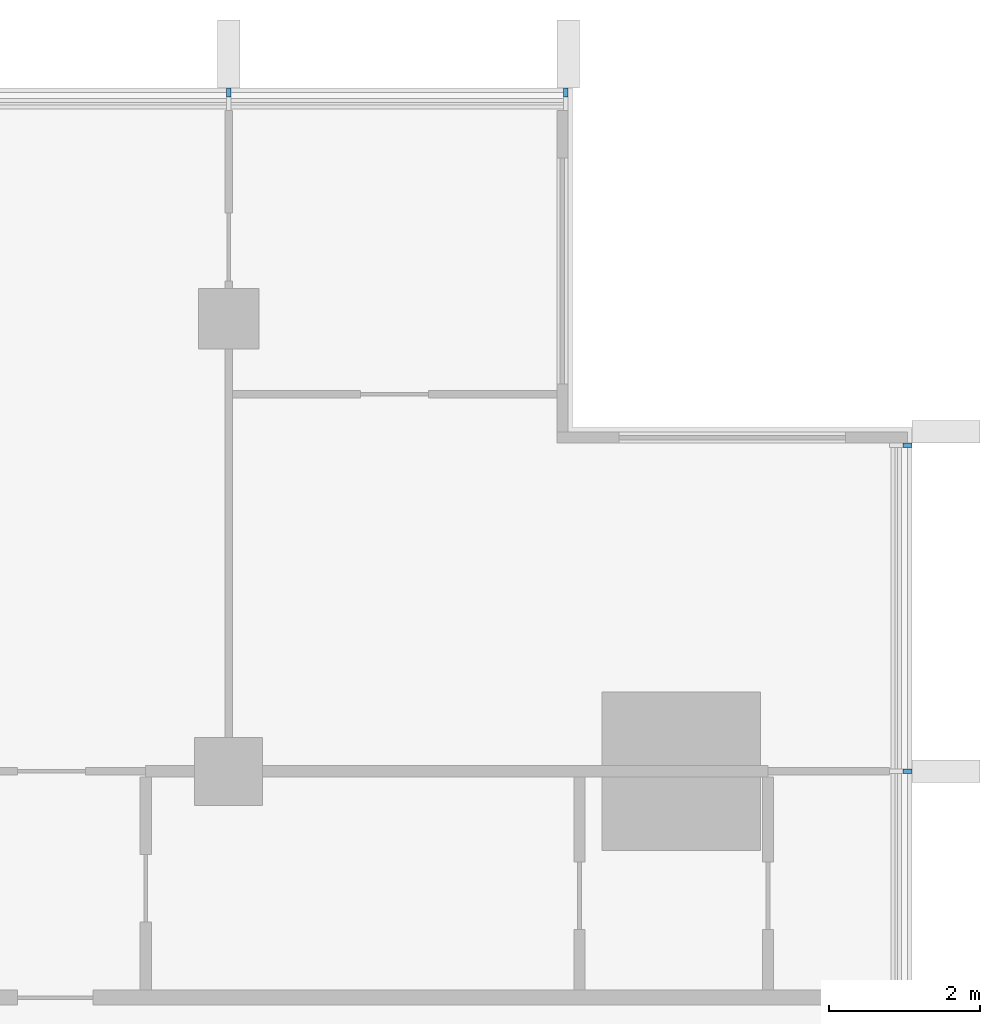
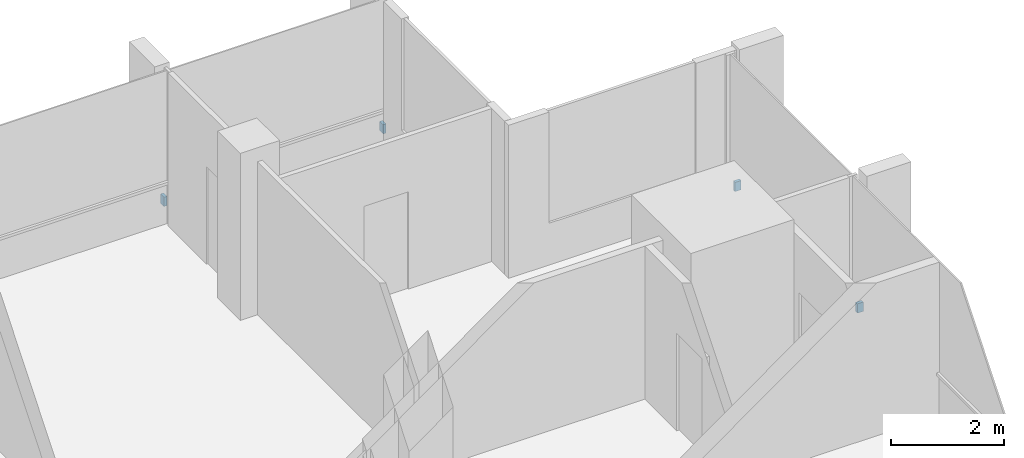
# One storey, part 15 of 16: 4 discrete accessories.
"""IFC4 building model written with IfcOpenShell, lengths in metres."""

from ifc_helpers import new_model, si_unit, direction, frame, origin, origin_2d, place, context, subcontext, project, spatial, rectangle, extrude, material, type_object, element, save


model = new_model("IFC4")

# Units and contexts
model_context = context("Model", 3, precision=1e-05, world=origin(), true_north=direction((0.0, 1.0)))
body_context = subcontext(model_context, "Body", "Model", "MODEL_VIEW")
ifc_project = project(units=[si_unit("LENGTHUNIT", "METRE"), si_unit("AREAUNIT", "SQUARE_METRE"), si_unit("VOLUMEUNIT", "CUBIC_METRE"), si_unit("PLANEANGLEUNIT", "RADIAN"), si_unit("MASSUNIT", "GRAM", prefix="KILO")], contexts=[model_context])

# Site, building, storey
site_placement = place(None, origin())
site = spatial("IfcSite", under=ifc_project, at=site_placement, CompositionType="ELEMENT")
building_placement = place(site_placement, origin())
building = spatial("IfcBuilding", under=site, at=building_placement, Name="Finial Court Residences", CompositionType="ELEMENT")
storey_placement = place(building_placement, frame((0.0, 0.0, 223.10009765625)))
storey = spatial("IfcBuildingStorey", under=building, at=storey_placement, Name="L56", CompositionType="ELEMENT", Elevation=223.10009765625)

# Discrete accessories
ifc_material = material(Name="Stainless steel 316", Category="steel")
discrete_accessory_type = type_object("IfcDiscreteAccessoryType", Name="Fin bracket, stainless steel 60 x 122 x 200", PredefinedType="BRACKET", material=ifc_material)
for number, where, z_axis, x_axis, name in (
    (1, (10.5, 16.498779296875, 0.2998046875), (0.0, 0.0, 1.0), (1.0, 0.0, 0.0), "E-L56-FIN-N5-BRK"),
    (2, (14.969970703125, 16.498779296875, 0.2998046875), (0.0, 0.0, 1.0), (1.0, 0.0, 0.0), "E-L56-FIN-N6-BRK"),
):
    element("IfcDiscreteAccessory", number, at=place(storey_placement, frame(where, z_axis=z_axis, x_axis=x_axis)), inside=storey, type_object=discrete_accessory_type, Name=name, PredefinedType="BRACKET", context=body_context, shape_type="SweptSolid", body=[
        extrude(rectangle(XDim=0.06005859375, YDim=0.12255859375, at=origin_2d()), origin(), (0.0, 0.0, 1.0), 0.199951171875),
    ])
for number, where, z_axis, x_axis, name in (
    (3, (19.498779296875, 7.5, 0.2998046875), (0.0, 0.0, 1.0), (1.0, 0.0, 0.0), "E-L56-FIN-E11-BRK"),
    (4, (19.498779296875, 11.820068359375, 0.2998046875), (0.0, 0.0, 1.0), (1.0, 0.0, 0.0), "E-L56-FIN-E12-BRK"),
):
    element("IfcDiscreteAccessory", number, at=place(storey_placement, frame(where, z_axis=z_axis, x_axis=x_axis)), inside=storey, type_object=discrete_accessory_type, Name=name, PredefinedType="BRACKET", context=body_context, shape_type="SweptSolid", body=[
        extrude(rectangle(XDim=0.12255859375, YDim=0.06005859375, at=origin_2d()), origin(), (0.0, 0.0, 1.0), 0.199951171875),
    ])

save(model, "model.ifc")
